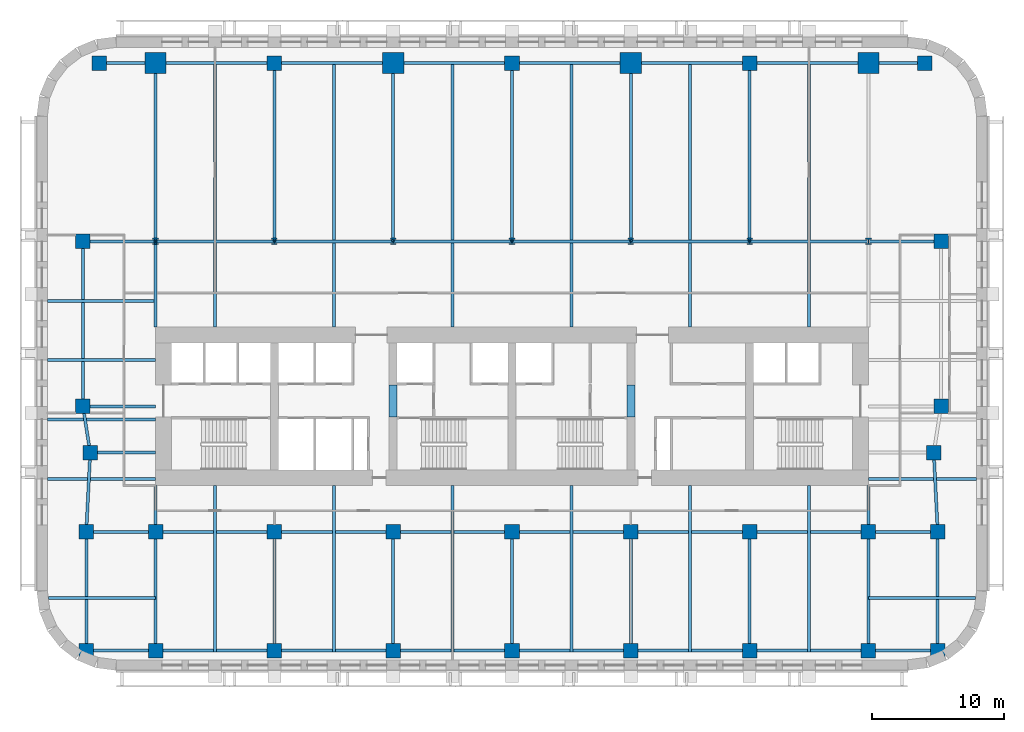
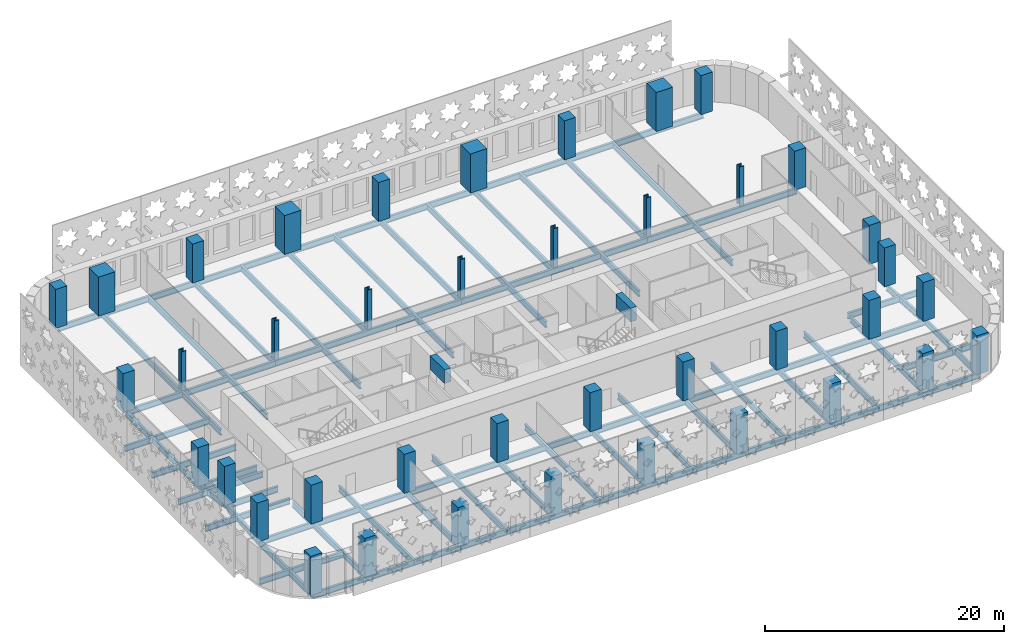
# One storey, part 1 of 13: 59 beams, 40 columns.
"""IFC4 building model written with IfcOpenShell, lengths in metres."""

from ifc_helpers import new_model, si_unit, direction, frame, origin, origin_2d, place, context, subcontext, project, spatial, rectangle, i_section, extrude, material, material_profile, profile_set, type_object, element, save


model = new_model("IFC4")

# Units and contexts
model_context = context("Model", 3, precision=1e-05, world=origin(), true_north=direction((0.0, 1.0)))
body_context = subcontext(model_context, "Body", "Model", "MODEL_VIEW")
ifc_project = project(units=[si_unit("LENGTHUNIT", "METRE"), si_unit("AREAUNIT", "SQUARE_METRE"), si_unit("VOLUMEUNIT", "CUBIC_METRE"), si_unit("PLANEANGLEUNIT", "RADIAN"), si_unit("MASSUNIT", "GRAM", prefix="KILO")], contexts=[model_context])

# Site, building, storey
site_placement = place(None, origin())
site = spatial("IfcSite", under=ifc_project, at=site_placement, CompositionType="ELEMENT")
building_placement = place(site_placement, origin())
building = spatial("IfcBuilding", under=site, at=building_placement, Name="Zellij Exchange Tower", CompositionType="ELEMENT")
storey_placement = place(building_placement, frame((0.0, 0.0, 60.5)))
storey = spatial("IfcBuildingStorey", under=building, at=storey_placement, Name="L11", CompositionType="ELEMENT", Elevation=60.5)

# Columns
ifc_material_1 = material(Name="Concrete C70/85", Category="concrete")
ifc_material_profile_1 = material_profile(ifc_material_1, rectangle(XDim=1.10009765625, YDim=1.10009765625, at=origin_2d()), Name="STR-COLUMN RC1100x1100 C70/85")
ifc_profile_set_1 = profile_set([ifc_material_profile_1], Name="Concrete C70/85")
column_type_1 = type_object("IfcColumnType", Name="STR-COLUMN RC1100x1100 C70/85", PredefinedType="COLUMN", material=ifc_profile_set_1)
for number, where, z_axis, x_axis, name in (
    (1, (-32.25, -26.5, 0.0), (0.0, 0.0, 1.0), (1.0, 0.0, 0.0), "C11"),
    (2, (-27.0, -26.5, 0.0), (0.0, 0.0, 1.0), (1.0, 0.0, 0.0), "C11"),
    (3, (-18.0, -26.5, 0.0), (0.0, 0.0, 1.0), (1.0, 0.0, 0.0), "C11"),
    (4, (-9.0, -26.5, 0.0), (0.0, 0.0, 1.0), (1.0, 0.0, 0.0), "C11"),
    (5, (0.0, -26.5, 0.0), (0.0, 0.0, 1.0), (1.0, 0.0, 0.0), "C11"),
    (6, (9.0, -26.5, 0.0), (0.0, 0.0, 1.0), (1.0, 0.0, 0.0), "C11"),
    (7, (18.0, -26.5, 0.0), (0.0, 0.0, 1.0), (1.0, 0.0, 0.0), "C11"),
    (8, (27.0, -26.5, 0.0), (0.0, 0.0, 1.0), (1.0, 0.0, 0.0), "C11"),
    (9, (32.25, -26.5, 0.0), (0.0, 0.0, 1.0), (1.0, 0.0, 0.0), "C11"),
    (10, (-32.25, -17.5, 0.0), (0.0, 0.0, 1.0), (1.0, 0.0, 0.0), "C11"),
    (11, (-27.0, -17.5, 0.0), (0.0, 0.0, 1.0), (1.0, 0.0, 0.0), "C11"),
    (12, (-18.0, -17.5, 0.0), (0.0, 0.0, 1.0), (1.0, 0.0, 0.0), "C11"),
    (13, (-9.0, -17.5, 0.0), (0.0, 0.0, 1.0), (1.0, 0.0, 0.0), "C11"),
    (14, (0.0, -17.5, 0.0), (0.0, 0.0, 1.0), (1.0, 0.0, 0.0), "C11"),
    (15, (9.0, -17.5, 0.0), (0.0, 0.0, 1.0), (1.0, 0.0, 0.0), "C11"),
    (16, (18.0, -17.5, 0.0), (0.0, 0.0, 1.0), (1.0, 0.0, 0.0), "C11"),
    (17, (27.0, -17.5, 0.0), (0.0, 0.0, 1.0), (1.0, 0.0, 0.0), "C11"),
    (18, (32.25, -17.5, 0.0), (0.0, 0.0, 1.0), (1.0, 0.0, 0.0), "C11"),
    (19, (-31.949951171875, -11.5, 0.0), (0.0, 0.0, 1.0), (1.0, 0.0, 0.0), "C11"),
    (20, (31.949951171875, -11.5, 0.0), (0.0, 0.0, 1.0), (1.0, 0.0, 0.0), "C11"),
    (21, (-32.5, -8.0, 0.0), (0.0, 0.0, 1.0), (1.0, 0.0, 0.0), "C11"),
    (22, (32.5, -8.0, 0.0), (0.0, 0.0, 1.0), (1.0, 0.0, 0.0), "C11"),
    (23, (-32.5, 4.5, 0.0), (0.0, 0.0, 1.0), (1.0, 0.0, 0.0), "C11"),
    (24, (32.5, 4.5, 0.0), (0.0, 0.0, 1.0), (1.0, 0.0, 0.0), "C11"),
    (25, (-31.25, 18.0, 0.0), (0.0, 0.0, 1.0), (1.0, 0.0, 0.0), "C11"),
    (26, (-18.0, 18.0, 0.0), (0.0, 0.0, 1.0), (1.0, 0.0, 0.0), "C11"),
    (27, (0.0, 18.0, 0.0), (0.0, 0.0, 1.0), (1.0, 0.0, 0.0), "C11"),
    (28, (18.0, 18.0, 0.0), (0.0, 0.0, 1.0), (1.0, 0.0, 0.0), "C11"),
    (29, (31.25, 18.0, 0.0), (0.0, 0.0, 1.0), (1.0, 0.0, 0.0), "C11"),
):
    element("IfcColumn", number, at=place(storey_placement, frame(where, z_axis=z_axis, x_axis=x_axis)), inside=storey, type_object=column_type_1, Name=name, PredefinedType="COLUMN", context=body_context, shape_type="SweptSolid", body=[
        extrude(rectangle(XDim=1.10009765625, YDim=1.10009765625, at=origin_2d()), origin(), (0.0, 0.0, 1.0), 4.0),
    ])
ifc_material_2 = material(Name="Structural steel ASTM A913 Gr 65", Category="steel")
ifc_material_profile_2 = material_profile(ifc_material_2, i_section(OverallWidth=0.431884765625, OverallDepth=0.497802734375, WebThickness=0.0556640625, FlangeThickness=0.0888671875, at=origin_2d()), Name="W14x500")
ifc_profile_set_2 = profile_set([ifc_material_profile_2], Name="Structural steel ASTM A913 Gr 65")
column_type_2 = type_object("IfcColumnType", Name="STR-COLUMN W14x500", PredefinedType="COLUMN", material=ifc_profile_set_2)
for number, where, z_axis, x_axis, name in (
    (30, (-27.0, 4.5, 0.0), (0.0, 0.0, 1.0), (1.0, 0.0, 0.0), "C5"),
    (31, (-18.0, 4.5, 0.0), (0.0, 0.0, 1.0), (1.0, 0.0, 0.0), "C5"),
    (32, (-9.0, 4.5, 0.0), (0.0, 0.0, 1.0), (1.0, 0.0, 0.0), "C5"),
    (33, (0.0, 4.5, 0.0), (0.0, 0.0, 1.0), (1.0, 0.0, 0.0), "C5"),
    (34, (9.0, 4.5, 0.0), (0.0, 0.0, 1.0), (1.0, 0.0, 0.0), "C5"),
    (35, (18.0, 4.5, 0.0), (0.0, 0.0, 1.0), (1.0, 0.0, 0.0), "C5"),
    (36, (27.0, 4.5, 0.0), (0.0, 0.0, 1.0), (1.0, 0.0, 0.0), "C5"),
):
    element("IfcColumn", number, at=place(storey_placement, frame(where, z_axis=z_axis, x_axis=x_axis)), inside=storey, type_object=column_type_2, Name=name, PredefinedType="COLUMN", context=body_context, shape_type="SweptSolid", body=[
        extrude(i_section(OverallWidth=0.431884765625, OverallDepth=0.497802734375, WebThickness=0.0556640625, FlangeThickness=0.0888671875, at=origin_2d()), origin(), (0.0, 0.0, 1.0), 4.0),
    ])
ifc_material_profile_3 = material_profile(ifc_material_1, rectangle(XDim=1.60009765625, YDim=1.60009765625, at=origin_2d()), Name="STR-MEGA COLUMN RC1600x1600 C70/85")
ifc_profile_set_3 = profile_set([ifc_material_profile_3], Name="Concrete C70/85")
column_type_3 = type_object("IfcColumnType", Name="STR-MEGA COLUMN RC1600x1600 C70/85", PredefinedType="COLUMN", material=ifc_profile_set_3)
for number, where, z_axis, x_axis, name in (
    (37, (-27.0, 18.0, 0.0), (0.0, 0.0, 1.0), (1.0, 0.0, 0.0), "MC6"),
    (38, (-9.0, 18.0, 0.0), (0.0, 0.0, 1.0), (1.0, 0.0, 0.0), "MC6"),
    (39, (9.0, 18.0, 0.0), (0.0, 0.0, 1.0), (1.0, 0.0, 0.0), "MC6"),
    (40, (27.0, 18.0, 0.0), (0.0, 0.0, 1.0), (1.0, 0.0, 0.0), "MC6"),
):
    element("IfcColumn", number, at=place(storey_placement, frame(where, z_axis=z_axis, x_axis=x_axis)), inside=storey, type_object=column_type_3, Name=name, PredefinedType="COLUMN", context=body_context, shape_type="SweptSolid", body=[
        extrude(rectangle(XDim=1.60009765625, YDim=1.60009765625, at=origin_2d()), origin(), (0.0, 0.0, 1.0), 4.0),
    ])

# Beams
ifc_material_profile_4 = material_profile(ifc_material_1, rectangle(XDim=0.60009765625, YDim=1.39990234375, at=origin_2d()), Name="CORE-CB 600x1400 C70/85")
ifc_profile_set_4 = profile_set([ifc_material_profile_4], Name="Concrete C70/85")
beam_type_1 = type_object("IfcBeamType", Name="CORE-CB 600x1400 C70/85", PredefinedType="BEAM", material=ifc_profile_set_4)
for number, where, z_axis, x_axis, name in (
    (41, (-9.0, -8.800048828125, 3.10009765625), (0.0, 1.0, 0.0), (-1.0, 0.0, 0.0), "Core coupling beam x -9 L11"),
    (42, (9.0, -8.800048828125, 3.10009765625), (0.0, 1.0, 0.0), (-1.0, 0.0, 0.0), "Core coupling beam x 9 L11"),
):
    element("IfcBeam", number, at=place(storey_placement, frame(where, z_axis=z_axis, x_axis=x_axis)), inside=storey, type_object=beam_type_1, Name=name, PredefinedType="BEAM", context=body_context, shape_type="SweptSolid", body=[
        extrude(rectangle(XDim=0.60009765625, YDim=1.39990234375, at=origin_2d()), origin(), (0.0, 0.0, 1.0), 2.425048828125),
    ])
ifc_material_3 = material(Name="Structural steel ASTM A992 Gr 50", Category="steel")
ifc_material_profile_5 = material_profile(ifc_material_3, i_section(OverallWidth=0.227783203125, OverallDepth=0.60205078125, WebThickness=0.010498046875, FlangeThickness=0.014892578125, at=origin_2d()), Name="W24x68")
ifc_profile_set_5 = profile_set([ifc_material_profile_5], Name="Structural steel ASTM A992 Gr 50")
beam_type_2 = type_object("IfcBeamType", Name="STR-BEAM W24x68", PredefinedType="BEAM", material=ifc_profile_set_5)
beam_1_placement = place(storey_placement, frame((-22.5, -26.614501953125, -0.5009765625), z_axis=(0.0, 1.0, 0.0), x_axis=(-1.0, 0.0, 0.0)))
element("IfcBeam", 43, at=beam_1_placement, inside=storey, type_object=beam_type_2, Name="B5", PredefinedType="BEAM", context=body_context, shape_type="SweptSolid", body=[
    extrude(i_section(OverallWidth=0.227783203125, OverallDepth=0.60205078125, WebThickness=0.010498046875, FlangeThickness=0.014892578125, at=origin_2d()), origin(), (0.0, 0.0, 1.0), 12.614501953125),
])
beam_2_placement = place(storey_placement, frame((-22.5, -2.0, -0.5009765625), z_axis=(0.0, 1.0, 0.0), x_axis=(-1.0, 0.0, 0.0)))
element("IfcBeam", 44, at=beam_2_placement, inside=storey, type_object=beam_type_2, Name="B5", PredefinedType="BEAM", context=body_context, shape_type="SweptSolid", body=[
    extrude(i_section(OverallWidth=0.227783203125, OverallDepth=0.60205078125, WebThickness=0.010498046875, FlangeThickness=0.014892578125, at=origin_2d()), origin(), (0.0, 0.0, 1.0), 20.114501953125),
])
beam_3_placement = place(storey_placement, frame((-13.5, -26.614501953125, -0.5009765625), z_axis=(0.0, 1.0, 0.0), x_axis=(-1.0, 0.0, 0.0)))
element("IfcBeam", 45, at=beam_3_placement, inside=storey, type_object=beam_type_2, Name="B5", PredefinedType="BEAM", context=body_context, shape_type="SweptSolid", body=[
    extrude(i_section(OverallWidth=0.227783203125, OverallDepth=0.60205078125, WebThickness=0.010498046875, FlangeThickness=0.014892578125, at=origin_2d()), origin(), (0.0, 0.0, 1.0), 12.614501953125),
])
beam_4_placement = place(storey_placement, frame((-13.5, -2.0, -0.5009765625), z_axis=(0.0, 1.0, 0.0), x_axis=(-1.0, 0.0, 0.0)))
element("IfcBeam", 46, at=beam_4_placement, inside=storey, type_object=beam_type_2, Name="B5", PredefinedType="BEAM", context=body_context, shape_type="SweptSolid", body=[
    extrude(i_section(OverallWidth=0.227783203125, OverallDepth=0.60205078125, WebThickness=0.010498046875, FlangeThickness=0.014892578125, at=origin_2d()), origin(), (0.0, 0.0, 1.0), 20.114501953125),
])
beam_5_placement = place(storey_placement, frame((-4.5, -26.614501953125, -0.5009765625), z_axis=(0.0, 1.0, 0.0), x_axis=(-1.0, 0.0, 0.0)))
element("IfcBeam", 47, at=beam_5_placement, inside=storey, type_object=beam_type_2, Name="B5", PredefinedType="BEAM", context=body_context, shape_type="SweptSolid", body=[
    extrude(i_section(OverallWidth=0.227783203125, OverallDepth=0.60205078125, WebThickness=0.010498046875, FlangeThickness=0.014892578125, at=origin_2d()), origin(), (0.0, 0.0, 1.0), 12.614501953125),
])
beam_6_placement = place(storey_placement, frame((-4.5, -2.0, -0.5009765625), z_axis=(0.0, 1.0, 0.0), x_axis=(-1.0, 0.0, 0.0)))
element("IfcBeam", 48, at=beam_6_placement, inside=storey, type_object=beam_type_2, Name="B5", PredefinedType="BEAM", context=body_context, shape_type="SweptSolid", body=[
    extrude(i_section(OverallWidth=0.227783203125, OverallDepth=0.60205078125, WebThickness=0.010498046875, FlangeThickness=0.014892578125, at=origin_2d()), origin(), (0.0, 0.0, 1.0), 20.114501953125),
])
beam_7_placement = place(storey_placement, frame((4.5, -26.614501953125, -0.5009765625), z_axis=(0.0, 1.0, 0.0), x_axis=(-1.0, 0.0, 0.0)))
element("IfcBeam", 49, at=beam_7_placement, inside=storey, type_object=beam_type_2, Name="B5", PredefinedType="BEAM", context=body_context, shape_type="SweptSolid", body=[
    extrude(i_section(OverallWidth=0.227783203125, OverallDepth=0.60205078125, WebThickness=0.010498046875, FlangeThickness=0.014892578125, at=origin_2d()), origin(), (0.0, 0.0, 1.0), 12.614501953125),
])
beam_8_placement = place(storey_placement, frame((4.5, -2.0, -0.5009765625), z_axis=(0.0, 1.0, 0.0), x_axis=(-1.0, 0.0, 0.0)))
element("IfcBeam", 50, at=beam_8_placement, inside=storey, type_object=beam_type_2, Name="B5", PredefinedType="BEAM", context=body_context, shape_type="SweptSolid", body=[
    extrude(i_section(OverallWidth=0.227783203125, OverallDepth=0.60205078125, WebThickness=0.010498046875, FlangeThickness=0.014892578125, at=origin_2d()), origin(), (0.0, 0.0, 1.0), 20.114501953125),
])
beam_9_placement = place(storey_placement, frame((13.5, -26.614501953125, -0.5009765625), z_axis=(0.0, 1.0, 0.0), x_axis=(-1.0, 0.0, 0.0)))
element("IfcBeam", 51, at=beam_9_placement, inside=storey, type_object=beam_type_2, Name="B5", PredefinedType="BEAM", context=body_context, shape_type="SweptSolid", body=[
    extrude(i_section(OverallWidth=0.227783203125, OverallDepth=0.60205078125, WebThickness=0.010498046875, FlangeThickness=0.014892578125, at=origin_2d()), origin(), (0.0, 0.0, 1.0), 12.614501953125),
])
beam_10_placement = place(storey_placement, frame((13.5, -2.0, -0.5009765625), z_axis=(0.0, 1.0, 0.0), x_axis=(-1.0, 0.0, 0.0)))
element("IfcBeam", 52, at=beam_10_placement, inside=storey, type_object=beam_type_2, Name="B5", PredefinedType="BEAM", context=body_context, shape_type="SweptSolid", body=[
    extrude(i_section(OverallWidth=0.227783203125, OverallDepth=0.60205078125, WebThickness=0.010498046875, FlangeThickness=0.014892578125, at=origin_2d()), origin(), (0.0, 0.0, 1.0), 20.114501953125),
])
beam_11_placement = place(storey_placement, frame((22.5, -26.614501953125, -0.5009765625), z_axis=(0.0, 1.0, 0.0), x_axis=(-1.0, 0.0, 0.0)))
element("IfcBeam", 53, at=beam_11_placement, inside=storey, type_object=beam_type_2, Name="B5", PredefinedType="BEAM", context=body_context, shape_type="SweptSolid", body=[
    extrude(i_section(OverallWidth=0.227783203125, OverallDepth=0.60205078125, WebThickness=0.010498046875, FlangeThickness=0.014892578125, at=origin_2d()), origin(), (0.0, 0.0, 1.0), 12.614501953125),
])
beam_12_placement = place(storey_placement, frame((22.5, -2.0, -0.5009765625), z_axis=(0.0, 1.0, 0.0), x_axis=(-1.0, 0.0, 0.0)))
element("IfcBeam", 54, at=beam_12_placement, inside=storey, type_object=beam_type_2, Name="B5", PredefinedType="BEAM", context=body_context, shape_type="SweptSolid", body=[
    extrude(i_section(OverallWidth=0.227783203125, OverallDepth=0.60205078125, WebThickness=0.010498046875, FlangeThickness=0.014892578125, at=origin_2d()), origin(), (0.0, 0.0, 1.0), 20.114501953125),
])
beam_13_placement = place(storey_placement, frame((-35.126953125, -22.5, -0.5009765625), z_axis=(1.0, 0.0, 0.0), x_axis=(0.0, 1.0, 0.0)))
element("IfcBeam", 55, at=beam_13_placement, inside=storey, type_object=beam_type_2, Name="B5", PredefinedType="BEAM", context=body_context, shape_type="SweptSolid", body=[
    extrude(i_section(OverallWidth=0.227783203125, OverallDepth=0.60205078125, WebThickness=0.010498046875, FlangeThickness=0.014892578125, at=origin_2d()), origin(), (0.0, 0.0, 1.0), 8.126953125),
])
for number, where, z_axis, x_axis, name in (
    (56, (-35.199951171875, -13.5, -0.5009765625), (1.0, 0.0, 0.0), (0.0, 1.0, 0.0), "B5"),
    (57, (-35.199951171875, -9.0, -0.5009765625), (1.0, 0.0, 0.0), (0.0, 1.0, 0.0), "B5"),
    (58, (-35.199951171875, -4.5, -0.5009765625), (1.0, 0.0, 0.0), (0.0, 1.0, 0.0), "B5"),
    (59, (-35.199951171875, 0.0, -0.5009765625), (1.0, 0.0, 0.0), (0.0, 1.0, 0.0), "B5"),
):
    element("IfcBeam", number, at=place(storey_placement, frame(where, z_axis=z_axis, x_axis=x_axis)), inside=storey, type_object=beam_type_2, Name=name, PredefinedType="BEAM", context=body_context, shape_type="SweptSolid", body=[
        extrude(i_section(OverallWidth=0.227783203125, OverallDepth=0.60205078125, WebThickness=0.010498046875, FlangeThickness=0.014892578125, at=origin_2d()), origin(), (0.0, 0.0, 1.0), 8.199951171875),
    ])
beam_14_placement = place(storey_placement, frame((27.0, -22.5, -0.5009765625), z_axis=(1.0, 0.0, 0.0), x_axis=(0.0, 1.0, 0.0)))
element("IfcBeam", 60, at=beam_14_placement, inside=storey, type_object=beam_type_2, Name="B5", PredefinedType="BEAM", context=body_context, shape_type="SweptSolid", body=[
    extrude(i_section(OverallWidth=0.227783203125, OverallDepth=0.60205078125, WebThickness=0.010498046875, FlangeThickness=0.014892578125, at=origin_2d()), origin(), (0.0, 0.0, 1.0), 8.126953125),
])
beam_15_placement = place(storey_placement, frame((27.0, -13.5, -0.5009765625), z_axis=(1.0, 0.0, 0.0), x_axis=(0.0, 1.0, 0.0)))
element("IfcBeam", 61, at=beam_15_placement, inside=storey, type_object=beam_type_2, Name="B5", PredefinedType="BEAM", context=body_context, shape_type="SweptSolid", body=[
    extrude(i_section(OverallWidth=0.227783203125, OverallDepth=0.60205078125, WebThickness=0.010498046875, FlangeThickness=0.014892578125, at=origin_2d()), origin(), (0.0, 0.0, 1.0), 8.199951171875),
])
ifc_material_profile_6 = material_profile(ifc_material_3, i_section(OverallWidth=0.22900390625, OverallDepth=0.612060546875, WebThickness=0.011962890625, FlangeThickness=0.01953125, at=origin_2d()), Name="W24x84")
ifc_profile_set_6 = profile_set([ifc_material_profile_6], Name="Structural steel ASTM A992 Gr 50")
beam_type_3 = type_object("IfcBeamType", Name="STR-EDGE GIRDER W24x84", PredefinedType="BEAM", material=ifc_profile_set_6)
beam_16_placement = place(storey_placement, frame((-32.25, -26.5, -0.506103515625), z_axis=(0.0, 1.0, 0.0), x_axis=(-1.0, 0.0, 0.0)))
element("IfcBeam", 62, at=beam_16_placement, inside=storey, type_object=beam_type_3, Name="EB6", PredefinedType="BEAM", context=body_context, shape_type="SweptSolid", body=[
    extrude(i_section(OverallWidth=0.22900390625, OverallDepth=0.612060546875, WebThickness=0.011962890625, FlangeThickness=0.01953125, at=origin_2d()), origin(), (0.0, 0.0, 1.0), 9.0),
])
beam_17_placement = place(storey_placement, frame((-32.25, -17.5, -0.506103515625), z_axis=(0.049945724537, 0.998751933465, 0.0), x_axis=(-0.998751933465, 0.049945724537, 0.0)))
element("IfcBeam", 63, at=beam_17_placement, inside=storey, type_object=beam_type_3, Name="EB6", PredefinedType="BEAM", context=body_context, shape_type="SweptSolid", body=[
    extrude(i_section(OverallWidth=0.22900390625, OverallDepth=0.612060546875, WebThickness=0.011962890625, FlangeThickness=0.01953125, at=origin_2d()), origin(), (0.0, 0.0, 1.0), 6.007568359375),
])
beam_18_placement = place(storey_placement, frame((-31.949951171875, -11.5, -0.506103515625), z_axis=(-0.155251283593, 0.987875011802, 0.0), x_axis=(-0.987875011802, -0.155251283593, 0.0)))
element("IfcBeam", 64, at=beam_18_placement, inside=storey, type_object=beam_type_3, Name="EB6", PredefinedType="BEAM", context=body_context, shape_type="SweptSolid", body=[
    extrude(i_section(OverallWidth=0.22900390625, OverallDepth=0.612060546875, WebThickness=0.011962890625, FlangeThickness=0.01953125, at=origin_2d()), origin(), (0.0, 0.0, 1.0), 3.54296875),
])
beam_19_placement = place(storey_placement, frame((-32.5, -8.0, -0.506103515625), z_axis=(0.0, 1.0, 0.0), x_axis=(-1.0, 0.0, 0.0)))
element("IfcBeam", 65, at=beam_19_placement, inside=storey, type_object=beam_type_3, Name="EB6", PredefinedType="BEAM", context=body_context, shape_type="SweptSolid", body=[
    extrude(i_section(OverallWidth=0.22900390625, OverallDepth=0.612060546875, WebThickness=0.011962890625, FlangeThickness=0.01953125, at=origin_2d()), origin(), (0.0, 0.0, 1.0), 12.5),
])
beam_20_placement = place(storey_placement, frame((32.25, -26.5, -0.506103515625), z_axis=(0.0, 1.0, 0.0), x_axis=(-1.0, 0.0, 0.0)))
element("IfcBeam", 66, at=beam_20_placement, inside=storey, type_object=beam_type_3, Name="EB6", PredefinedType="BEAM", context=body_context, shape_type="SweptSolid", body=[
    extrude(i_section(OverallWidth=0.22900390625, OverallDepth=0.612060546875, WebThickness=0.011962890625, FlangeThickness=0.01953125, at=origin_2d()), origin(), (0.0, 0.0, 1.0), 9.0),
])
beam_21_placement = place(storey_placement, frame((32.25, -17.5, -0.506103515625), z_axis=(-0.049945724537, 0.998751933465, 0.0), x_axis=(-0.998751933465, -0.049945724537, 0.0)))
element("IfcBeam", 67, at=beam_21_placement, inside=storey, type_object=beam_type_3, Name="EB6", PredefinedType="BEAM", context=body_context, shape_type="SweptSolid", body=[
    extrude(i_section(OverallWidth=0.22900390625, OverallDepth=0.612060546875, WebThickness=0.011962890625, FlangeThickness=0.01953125, at=origin_2d()), origin(), (0.0, 0.0, 1.0), 6.007568359375),
])
ifc_material_profile_7 = material_profile(ifc_material_3, i_section(OverallWidth=0.22900390625, OverallDepth=0.612060546875, WebThickness=0.011962890625, FlangeThickness=0.01953125, at=origin_2d()), Name="W24x84")
ifc_profile_set_7 = profile_set([ifc_material_profile_7], Name="Structural steel ASTM A992 Gr 50")
beam_type_4 = type_object("IfcBeamType", Name="STR-GIRDER W24x84", PredefinedType="BEAM", material=ifc_profile_set_7)
beam_22_placement = place(storey_placement, frame((-32.25, -26.5, -0.506103515625), z_axis=(1.0, 0.0, 0.0), x_axis=(0.0, 1.0, 0.0)))
element("IfcBeam", 68, at=beam_22_placement, inside=storey, type_object=beam_type_4, Name="G4", PredefinedType="BEAM", context=body_context, shape_type="SweptSolid", body=[
    extrude(i_section(OverallWidth=0.22900390625, OverallDepth=0.612060546875, WebThickness=0.011962890625, FlangeThickness=0.01953125, at=origin_2d()), origin(), (0.0, 0.0, 1.0), 14.25),
])
for number, where, z_axis, x_axis, name in (
    (69, (-18.0, -26.5, -0.506103515625), (1.0, 0.0, 0.0), (0.0, 1.0, 0.0), "G4"),
    (70, (0.0, -26.5, -0.506103515625), (1.0, 0.0, 0.0), (0.0, 1.0, 0.0), "G4"),
):
    element("IfcBeam", number, at=place(storey_placement, frame(where, z_axis=z_axis, x_axis=x_axis)), inside=storey, type_object=beam_type_4, Name=name, PredefinedType="BEAM", context=body_context, shape_type="SweptSolid", body=[
        extrude(i_section(OverallWidth=0.22900390625, OverallDepth=0.612060546875, WebThickness=0.011962890625, FlangeThickness=0.01953125, at=origin_2d()), origin(), (0.0, 0.0, 1.0), 18.0),
    ])
for number, where, z_axis, x_axis, name in (
    (71, (18.0, -26.5, -0.506103515625), (1.0, 0.0, 0.0), (0.0, 1.0, 0.0), "G4"),
    (72, (-32.25, -17.5, -0.506103515625), (1.0, 0.0, 0.0), (0.0, 1.0, 0.0), "G4"),
):
    element("IfcBeam", number, at=place(storey_placement, frame(where, z_axis=z_axis, x_axis=x_axis)), inside=storey, type_object=beam_type_4, Name=name, PredefinedType="BEAM", context=body_context, shape_type="SweptSolid", body=[
        extrude(i_section(OverallWidth=0.22900390625, OverallDepth=0.612060546875, WebThickness=0.011962890625, FlangeThickness=0.01953125, at=origin_2d()), origin(), (0.0, 0.0, 1.0), 14.25),
    ])
for number, where, z_axis, x_axis, name in (
    (73, (-18.0, -17.5, -0.506103515625), (1.0, 0.0, 0.0), (0.0, 1.0, 0.0), "G4"),
    (74, (0.0, -17.5, -0.506103515625), (1.0, 0.0, 0.0), (0.0, 1.0, 0.0), "G4"),
):
    element("IfcBeam", number, at=place(storey_placement, frame(where, z_axis=z_axis, x_axis=x_axis)), inside=storey, type_object=beam_type_4, Name=name, PredefinedType="BEAM", context=body_context, shape_type="SweptSolid", body=[
        extrude(i_section(OverallWidth=0.22900390625, OverallDepth=0.612060546875, WebThickness=0.011962890625, FlangeThickness=0.01953125, at=origin_2d()), origin(), (0.0, 0.0, 1.0), 18.0),
    ])
beam_23_placement = place(storey_placement, frame((18.0, -17.5, -0.506103515625), z_axis=(1.0, 0.0, 0.0), x_axis=(0.0, 1.0, 0.0)))
element("IfcBeam", 75, at=beam_23_placement, inside=storey, type_object=beam_type_4, Name="G4", PredefinedType="BEAM", context=body_context, shape_type="SweptSolid", body=[
    extrude(i_section(OverallWidth=0.22900390625, OverallDepth=0.612060546875, WebThickness=0.011962890625, FlangeThickness=0.01953125, at=origin_2d()), origin(), (0.0, 0.0, 1.0), 14.25),
])
beam_24_placement = place(storey_placement, frame((-31.949951171875, -11.5, -0.506103515625), z_axis=(1.0, 0.0, 0.0), x_axis=(0.0, 1.0, 0.0)))
element("IfcBeam", 76, at=beam_24_placement, inside=storey, type_object=beam_type_4, Name="G4", PredefinedType="BEAM", context=body_context, shape_type="SweptSolid", body=[
    extrude(i_section(OverallWidth=0.22900390625, OverallDepth=0.612060546875, WebThickness=0.011962890625, FlangeThickness=0.01953125, at=origin_2d()), origin(), (0.0, 0.0, 1.0), 4.949951171875),
])
beam_25_placement = place(storey_placement, frame((-32.5, -8.0, -0.506103515625), z_axis=(1.0, 0.0, 0.0), x_axis=(0.0, 1.0, 0.0)))
element("IfcBeam", 77, at=beam_25_placement, inside=storey, type_object=beam_type_4, Name="G4", PredefinedType="BEAM", context=body_context, shape_type="SweptSolid", body=[
    extrude(i_section(OverallWidth=0.22900390625, OverallDepth=0.612060546875, WebThickness=0.011962890625, FlangeThickness=0.01953125, at=origin_2d()), origin(), (0.0, 0.0, 1.0), 5.5),
])
beam_26_placement = place(storey_placement, frame((-32.5, 4.5, -0.506103515625), z_axis=(1.0, 0.0, 0.0), x_axis=(0.0, 1.0, 0.0)))
element("IfcBeam", 78, at=beam_26_placement, inside=storey, type_object=beam_type_4, Name="G4", PredefinedType="BEAM", context=body_context, shape_type="SweptSolid", body=[
    extrude(i_section(OverallWidth=0.22900390625, OverallDepth=0.612060546875, WebThickness=0.011962890625, FlangeThickness=0.01953125, at=origin_2d()), origin(), (0.0, 0.0, 1.0), 14.5),
])
for number, where, z_axis, x_axis, name in (
    (79, (-18.0, 4.5, -0.506103515625), (1.0, 0.0, 0.0), (0.0, 1.0, 0.0), "G4"),
    (80, (0.0, 4.5, -0.506103515625), (1.0, 0.0, 0.0), (0.0, 1.0, 0.0), "G4"),
):
    element("IfcBeam", number, at=place(storey_placement, frame(where, z_axis=z_axis, x_axis=x_axis)), inside=storey, type_object=beam_type_4, Name=name, PredefinedType="BEAM", context=body_context, shape_type="SweptSolid", body=[
        extrude(i_section(OverallWidth=0.22900390625, OverallDepth=0.612060546875, WebThickness=0.011962890625, FlangeThickness=0.01953125, at=origin_2d()), origin(), (0.0, 0.0, 1.0), 18.0),
    ])
beam_27_placement = place(storey_placement, frame((18.0, 4.5, -0.506103515625), z_axis=(1.0, 0.0, 0.0), x_axis=(0.0, 1.0, 0.0)))
element("IfcBeam", 81, at=beam_27_placement, inside=storey, type_object=beam_type_4, Name="G4", PredefinedType="BEAM", context=body_context, shape_type="SweptSolid", body=[
    extrude(i_section(OverallWidth=0.22900390625, OverallDepth=0.612060546875, WebThickness=0.011962890625, FlangeThickness=0.01953125, at=origin_2d()), origin(), (0.0, 0.0, 1.0), 14.5),
])
beam_28_placement = place(storey_placement, frame((-31.25, 18.0, -0.506103515625), z_axis=(1.0, 0.0, 0.0), x_axis=(0.0, 1.0, 0.0)))
element("IfcBeam", 82, at=beam_28_placement, inside=storey, type_object=beam_type_4, Name="G4", PredefinedType="BEAM", context=body_context, shape_type="SweptSolid", body=[
    extrude(i_section(OverallWidth=0.22900390625, OverallDepth=0.612060546875, WebThickness=0.011962890625, FlangeThickness=0.01953125, at=origin_2d()), origin(), (0.0, 0.0, 1.0), 13.25),
])
for number, where, z_axis, x_axis, name in (
    (83, (-18.0, 18.0, -0.506103515625), (1.0, 0.0, 0.0), (0.0, 1.0, 0.0), "G4"),
    (84, (0.0, 18.0, -0.506103515625), (1.0, 0.0, 0.0), (0.0, 1.0, 0.0), "G4"),
):
    element("IfcBeam", number, at=place(storey_placement, frame(where, z_axis=z_axis, x_axis=x_axis)), inside=storey, type_object=beam_type_4, Name=name, PredefinedType="BEAM", context=body_context, shape_type="SweptSolid", body=[
        extrude(i_section(OverallWidth=0.22900390625, OverallDepth=0.612060546875, WebThickness=0.011962890625, FlangeThickness=0.01953125, at=origin_2d()), origin(), (0.0, 0.0, 1.0), 18.0),
    ])
beam_29_placement = place(storey_placement, frame((18.0, 18.0, -0.506103515625), z_axis=(1.0, 0.0, 0.0), x_axis=(0.0, 1.0, 0.0)))
element("IfcBeam", 85, at=beam_29_placement, inside=storey, type_object=beam_type_4, Name="G4", PredefinedType="BEAM", context=body_context, shape_type="SweptSolid", body=[
    extrude(i_section(OverallWidth=0.22900390625, OverallDepth=0.612060546875, WebThickness=0.011962890625, FlangeThickness=0.01953125, at=origin_2d()), origin(), (0.0, 0.0, 1.0), 13.25),
])
beam_30_placement = place(storey_placement, frame((-27.0, -26.5, -0.506103515625), z_axis=(0.0, 1.0, 0.0), x_axis=(-1.0, 0.0, 0.0)))
element("IfcBeam", 86, at=beam_30_placement, inside=storey, type_object=beam_type_4, Name="G4", PredefinedType="BEAM", context=body_context, shape_type="SweptSolid", body=[
    extrude(i_section(OverallWidth=0.22900390625, OverallDepth=0.612060546875, WebThickness=0.011962890625, FlangeThickness=0.01953125, at=origin_2d()), origin(), (0.0, 0.0, 1.0), 12.5),
])
beam_31_placement = place(storey_placement, frame((-27.0, -2.0, -0.506103515625), z_axis=(0.0, 1.0, 0.0), x_axis=(-1.0, 0.0, 0.0)))
element("IfcBeam", 87, at=beam_31_placement, inside=storey, type_object=beam_type_4, Name="G4", PredefinedType="BEAM", context=body_context, shape_type="SweptSolid", body=[
    extrude(i_section(OverallWidth=0.22900390625, OverallDepth=0.612060546875, WebThickness=0.011962890625, FlangeThickness=0.01953125, at=origin_2d()), origin(), (0.0, 0.0, 1.0), 6.5),
])
beam_32_placement = place(storey_placement, frame((-27.0, 4.5, -0.506103515625), z_axis=(0.0, 1.0, 0.0), x_axis=(-1.0, 0.0, 0.0)))
element("IfcBeam", 88, at=beam_32_placement, inside=storey, type_object=beam_type_4, Name="G4", PredefinedType="BEAM", context=body_context, shape_type="SweptSolid", body=[
    extrude(i_section(OverallWidth=0.22900390625, OverallDepth=0.612060546875, WebThickness=0.011962890625, FlangeThickness=0.01953125, at=origin_2d()), origin(), (0.0, 0.0, 1.0), 13.5),
])
beam_33_placement = place(storey_placement, frame((-18.0, -26.5, -0.506103515625), z_axis=(0.0, 1.0, 0.0), x_axis=(-1.0, 0.0, 0.0)))
element("IfcBeam", 89, at=beam_33_placement, inside=storey, type_object=beam_type_4, Name="G4", PredefinedType="BEAM", context=body_context, shape_type="SweptSolid", body=[
    extrude(i_section(OverallWidth=0.22900390625, OverallDepth=0.612060546875, WebThickness=0.011962890625, FlangeThickness=0.01953125, at=origin_2d()), origin(), (0.0, 0.0, 1.0), 9.0),
])
beam_34_placement = place(storey_placement, frame((-18.0, 4.5, -0.506103515625), z_axis=(0.0, 1.0, 0.0), x_axis=(-1.0, 0.0, 0.0)))
element("IfcBeam", 90, at=beam_34_placement, inside=storey, type_object=beam_type_4, Name="G4", PredefinedType="BEAM", context=body_context, shape_type="SweptSolid", body=[
    extrude(i_section(OverallWidth=0.22900390625, OverallDepth=0.612060546875, WebThickness=0.011962890625, FlangeThickness=0.01953125, at=origin_2d()), origin(), (0.0, 0.0, 1.0), 13.5),
])
beam_35_placement = place(storey_placement, frame((-9.0, -26.5, -0.506103515625), z_axis=(0.0, 1.0, 0.0), x_axis=(-1.0, 0.0, 0.0)))
element("IfcBeam", 91, at=beam_35_placement, inside=storey, type_object=beam_type_4, Name="G4", PredefinedType="BEAM", context=body_context, shape_type="SweptSolid", body=[
    extrude(i_section(OverallWidth=0.22900390625, OverallDepth=0.612060546875, WebThickness=0.011962890625, FlangeThickness=0.01953125, at=origin_2d()), origin(), (0.0, 0.0, 1.0), 9.0),
])
beam_36_placement = place(storey_placement, frame((-9.0, 4.5, -0.506103515625), z_axis=(0.0, 1.0, 0.0), x_axis=(-1.0, 0.0, 0.0)))
element("IfcBeam", 92, at=beam_36_placement, inside=storey, type_object=beam_type_4, Name="G4", PredefinedType="BEAM", context=body_context, shape_type="SweptSolid", body=[
    extrude(i_section(OverallWidth=0.22900390625, OverallDepth=0.612060546875, WebThickness=0.011962890625, FlangeThickness=0.01953125, at=origin_2d()), origin(), (0.0, 0.0, 1.0), 13.5),
])
beam_37_placement = place(storey_placement, frame((0.0, -26.5, -0.506103515625), z_axis=(0.0, 1.0, 0.0), x_axis=(-1.0, 0.0, 0.0)))
element("IfcBeam", 93, at=beam_37_placement, inside=storey, type_object=beam_type_4, Name="G4", PredefinedType="BEAM", context=body_context, shape_type="SweptSolid", body=[
    extrude(i_section(OverallWidth=0.22900390625, OverallDepth=0.612060546875, WebThickness=0.011962890625, FlangeThickness=0.01953125, at=origin_2d()), origin(), (0.0, 0.0, 1.0), 9.0),
])
beam_38_placement = place(storey_placement, frame((0.0, 4.5, -0.506103515625), z_axis=(0.0, 1.0, 0.0), x_axis=(-1.0, 0.0, 0.0)))
element("IfcBeam", 94, at=beam_38_placement, inside=storey, type_object=beam_type_4, Name="G4", PredefinedType="BEAM", context=body_context, shape_type="SweptSolid", body=[
    extrude(i_section(OverallWidth=0.22900390625, OverallDepth=0.612060546875, WebThickness=0.011962890625, FlangeThickness=0.01953125, at=origin_2d()), origin(), (0.0, 0.0, 1.0), 13.5),
])
beam_39_placement = place(storey_placement, frame((9.0, -26.5, -0.506103515625), z_axis=(0.0, 1.0, 0.0), x_axis=(-1.0, 0.0, 0.0)))
element("IfcBeam", 95, at=beam_39_placement, inside=storey, type_object=beam_type_4, Name="G4", PredefinedType="BEAM", context=body_context, shape_type="SweptSolid", body=[
    extrude(i_section(OverallWidth=0.22900390625, OverallDepth=0.612060546875, WebThickness=0.011962890625, FlangeThickness=0.01953125, at=origin_2d()), origin(), (0.0, 0.0, 1.0), 9.0),
])
beam_40_placement = place(storey_placement, frame((9.0, 4.5, -0.506103515625), z_axis=(0.0, 1.0, 0.0), x_axis=(-1.0, 0.0, 0.0)))
element("IfcBeam", 96, at=beam_40_placement, inside=storey, type_object=beam_type_4, Name="G4", PredefinedType="BEAM", context=body_context, shape_type="SweptSolid", body=[
    extrude(i_section(OverallWidth=0.22900390625, OverallDepth=0.612060546875, WebThickness=0.011962890625, FlangeThickness=0.01953125, at=origin_2d()), origin(), (0.0, 0.0, 1.0), 13.5),
])
beam_41_placement = place(storey_placement, frame((18.0, -26.5, -0.506103515625), z_axis=(0.0, 1.0, 0.0), x_axis=(-1.0, 0.0, 0.0)))
element("IfcBeam", 97, at=beam_41_placement, inside=storey, type_object=beam_type_4, Name="G4", PredefinedType="BEAM", context=body_context, shape_type="SweptSolid", body=[
    extrude(i_section(OverallWidth=0.22900390625, OverallDepth=0.612060546875, WebThickness=0.011962890625, FlangeThickness=0.01953125, at=origin_2d()), origin(), (0.0, 0.0, 1.0), 9.0),
])
beam_42_placement = place(storey_placement, frame((18.0, 4.5, -0.506103515625), z_axis=(0.0, 1.0, 0.0), x_axis=(-1.0, 0.0, 0.0)))
element("IfcBeam", 98, at=beam_42_placement, inside=storey, type_object=beam_type_4, Name="G4", PredefinedType="BEAM", context=body_context, shape_type="SweptSolid", body=[
    extrude(i_section(OverallWidth=0.22900390625, OverallDepth=0.612060546875, WebThickness=0.011962890625, FlangeThickness=0.01953125, at=origin_2d()), origin(), (0.0, 0.0, 1.0), 13.5),
])
beam_43_placement = place(storey_placement, frame((27.0, -26.5, -0.506103515625), z_axis=(0.0, 1.0, 0.0), x_axis=(-1.0, 0.0, 0.0)))
element("IfcBeam", 99, at=beam_43_placement, inside=storey, type_object=beam_type_4, Name="G4", PredefinedType="BEAM", context=body_context, shape_type="SweptSolid", body=[
    extrude(i_section(OverallWidth=0.22900390625, OverallDepth=0.612060546875, WebThickness=0.011962890625, FlangeThickness=0.01953125, at=origin_2d()), origin(), (0.0, 0.0, 1.0), 12.5),
])

save(model, "model.ifc")
